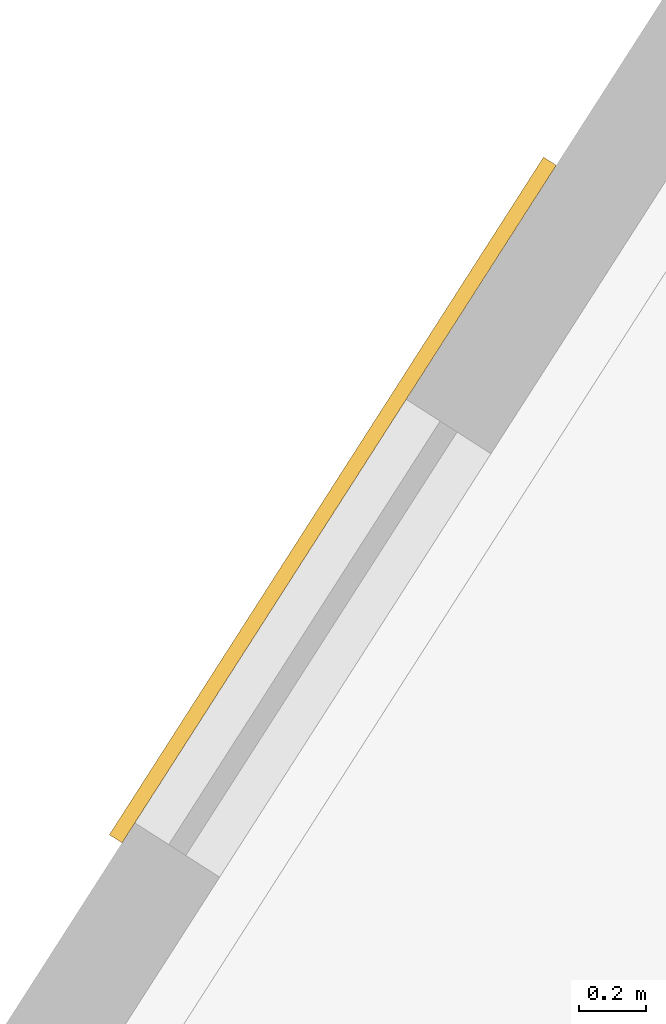
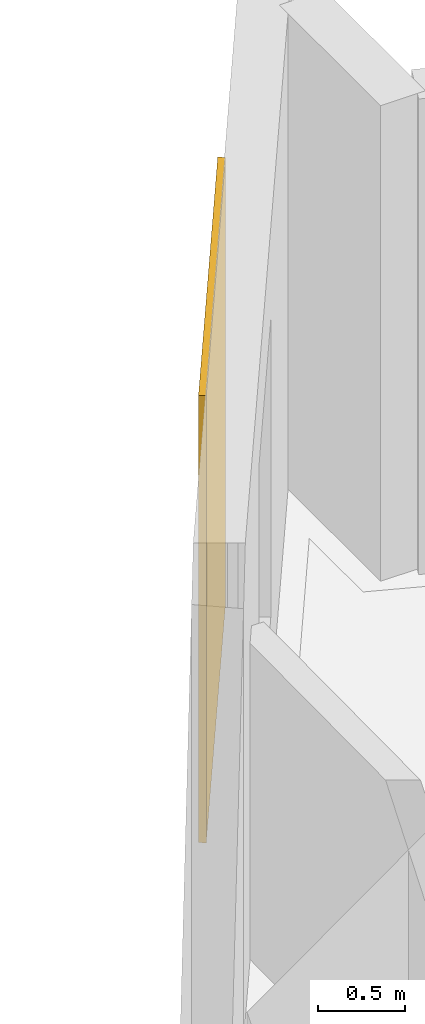
# One storey, part 15 of 15: 1 covering.
"""IFC4 building model written with IfcOpenShell, lengths in metres."""

from ifc_helpers import new_model, si_unit, direction, frame, origin, origin_2d, place, context, subcontext, project, spatial, rectangle, extrude, material, layer, layer_set, type_object, element, save


model = new_model("IFC4")

# Units and contexts
model_context = context("Model", 3, precision=1e-05, world=origin(), true_north=direction((0.0, 1.0)))
body_context = subcontext(model_context, "Body", "Model", "MODEL_VIEW")
ifc_project = project(units=[si_unit("LENGTHUNIT", "METRE"), si_unit("AREAUNIT", "SQUARE_METRE"), si_unit("VOLUMEUNIT", "CUBIC_METRE"), si_unit("PLANEANGLEUNIT", "RADIAN"), si_unit("MASSUNIT", "GRAM", prefix="KILO")], contexts=[model_context])

# Site, building, storey
site_placement = place(None, origin())
site = spatial("IfcSite", under=ifc_project, at=site_placement, CompositionType="ELEMENT")
building_placement = place(site_placement, origin())
building = spatial("IfcBuilding", under=site, at=building_placement, Name="Almagre Mirador Tower", CompositionType="ELEMENT")
storey_placement = place(building_placement, frame((0.0, 0.0, 31.800048828125)))
storey = spatial("IfcBuildingStorey", under=building, at=storey_placement, Name="L06", CompositionType="ELEMENT", Elevation=31.800048828125)

# Covering
ifc_material = material(Name="Almagre terracotta architectural cladding", Category="masonry")
ifc_layer = layer(ifc_material, 0.044921875)
ifc_layer_set = layer_set([ifc_layer], Name="Almagre terracotta architectural cladding")
covering_type = type_object("IfcCoveringType", Name="COV-CLAD-ALMAGRE", PredefinedType="CLADDING", material=ifc_layer_set)
covering_placement = place(storey_placement, frame((31.414306640625, 43.964599609375, 0.10009765625), z_axis=(0.0, 0.0, 1.0), x_axis=(0.539535148555, 0.841963077263, 0.0)))
element("IfcCovering", 1, at=covering_placement, inside=storey, type_object=covering_type, Name="L06 almagre terracotta pier cladding", PredefinedType="CLADDING", context=body_context, shape_type="SweptSolid", body=[
    extrude(rectangle(XDim=2.39990234375, YDim=0.044921875, at=origin_2d()), origin(), (0.0, 0.0, 1.0), 3.14990234375),
])

save(model, "model.ifc")
